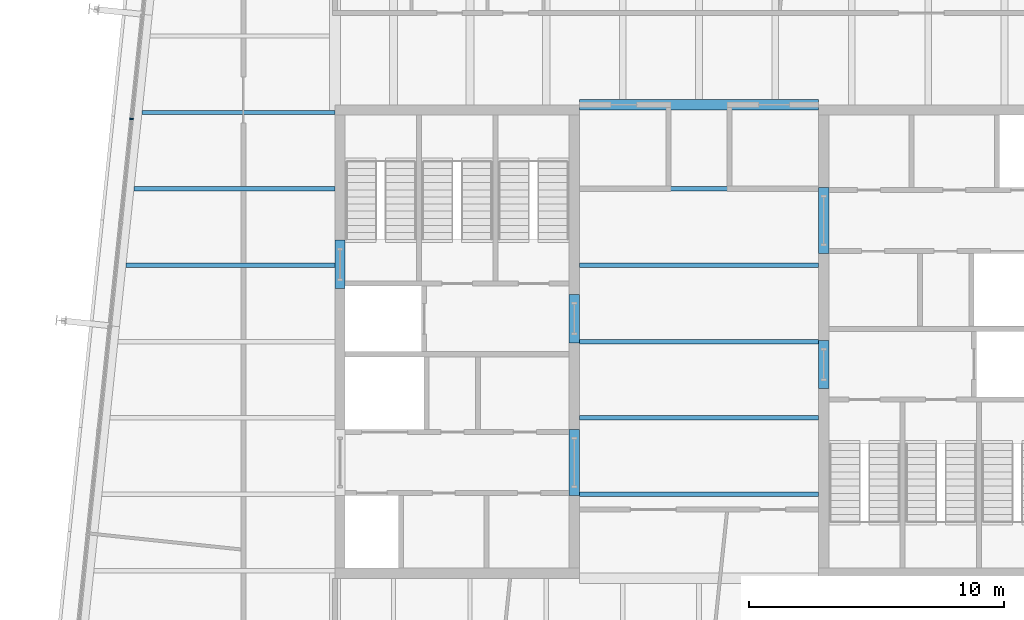
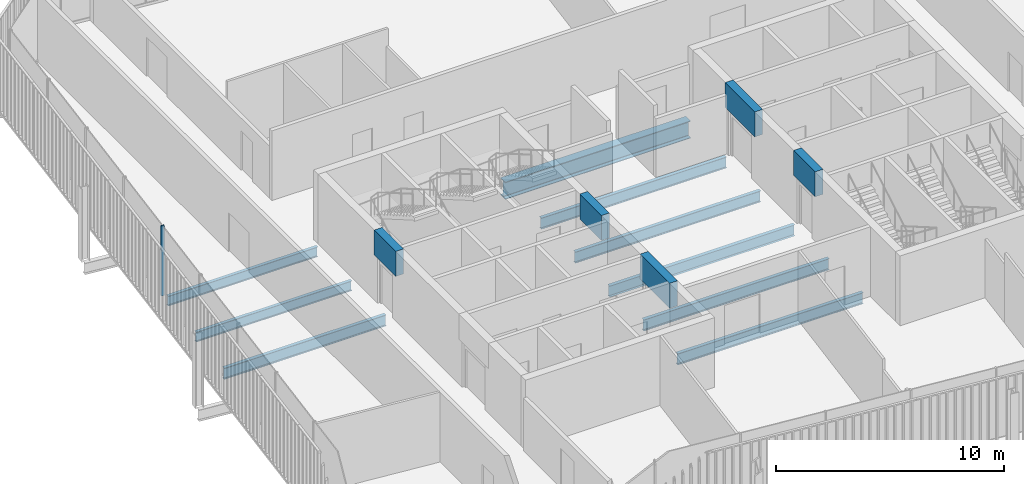
# One storey, part 8 of 20: 14 beams, 1 member, 1 element without a shape of its own.
"""IFC4 building model written with IfcOpenShell, lengths in metres."""

from ifc_helpers import new_model, si_unit, direction, frame, origin, origin_2d, place, context, subcontext, project, spatial, rectangle, i_section, extrude, material, layer, layer_set, material_profile, profile_set, type_object, element, aggregate, save


model = new_model("IFC4")

# Units and contexts
model_context = context("Model", 3, precision=1e-05, world=origin(), true_north=direction((0.0, 1.0)))
body_context = subcontext(model_context, "Body", "Model", "MODEL_VIEW")
ifc_project = project(units=[si_unit("LENGTHUNIT", "METRE"), si_unit("AREAUNIT", "SQUARE_METRE"), si_unit("VOLUMEUNIT", "CUBIC_METRE"), si_unit("PLANEANGLEUNIT", "RADIAN"), si_unit("MASSUNIT", "GRAM", prefix="KILO")], contexts=[model_context])

# Site, building, storey
site_placement = place(None, origin())
site = spatial("IfcSite", under=ifc_project, at=site_placement, CompositionType="ELEMENT")
building_placement = place(site_placement, origin())
building = spatial("IfcBuilding", under=site, at=building_placement, Name="Millrace Tower", CompositionType="ELEMENT")
storey_placement = place(building_placement, frame((0.0, 0.0, 287.699951171875)))
storey = spatial("IfcBuildingStorey", under=building, at=storey_placement, Name="L66", CompositionType="ELEMENT", Elevation=287.699951171875)

# Curtain wall, member
ifc_material_1 = material(Name="Aluminium and glass", Category="aluminium")
ifc_layer = layer(ifc_material_1, 0.14990234375)
ifc_layer_set = layer_set([ifc_layer], Name="Aluminium and glass")
curtain_wall_type = type_object("IfcCurtainWallType", Name="CW-1 office vision curtain wall", PredefinedType="NOTDEFINED", material=ifc_layer_set)
curtain_wall_placement = place(storey_placement, origin())
curtain_wall = element("IfcCurtainWall", 1, at=curtain_wall_placement, inside=storey, type_object=curtain_wall_type, Name="Curtain wall E-F08 L66", PredefinedType="NOTDEFINED")
ifc_material_2 = material(Name="Aluminium", Category="aluminium")
ifc_material_profile_1 = material_profile(ifc_material_2, rectangle(XDim=0.06494140625, YDim=0.14990234375, at=origin_2d()))
ifc_profile_set_1 = profile_set([ifc_material_profile_1], Name="Aluminium")
member_type = type_object("IfcMemberType", Name="CW-1 office vision curtain wall mullion", PredefinedType="MULLION", material=ifc_profile_set_1)
member_placement = place(storey_placement, frame((-22.2890625, 8.742431640625, 0.14013671875), z_axis=(0.0, 0.0, 1.0), x_axis=(-0.104528455196, -0.994521896217, 0.0)))
member = element("IfcMember", 2, at=member_placement, type_object=member_type, Name="CW1 mullion E-F08.5", PredefinedType="MULLION", context=body_context, shape_type="SweptSolid", body=[
    extrude(rectangle(XDim=0.06494140625, YDim=0.14990234375, at=origin_2d()), origin(), (0.0, 0.0, 1.0), 3.760009765625),
])
aggregate(curtain_wall, [member])

# Beams
ifc_material_3 = material(Name="Concrete C60", Category="concrete")
ifc_material_profile_2 = material_profile(ifc_material_3, rectangle(XDim=0.39990234375, YDim=1.340087890625, at=origin_2d()))
ifc_profile_set_2 = profile_set([ifc_material_profile_2], Name="Concrete C60")
beam_type_1 = type_object("IfcBeamType", Name="Coupling beam 400 x 1340 Concrete C60, 1300 opening", PredefinedType="BEAM", material=ifc_profile_set_2)
beam_1_placement = place(storey_placement, frame((-14.10009765625, 2.080078125, 3.070068359375), z_axis=(0.0, 1.0, 0.0), x_axis=(-1.0, 0.0, 0.0)))
element("IfcBeam", 3, at=beam_1_placement, inside=storey, type_object=beam_type_1, Name="Coupling beam W L66", PredefinedType="BEAM", context=body_context, shape_type="SweptSolid", body=[
    extrude(rectangle(XDim=0.39990234375, YDim=1.340087890625, at=origin_2d()), origin(), (0.0, 0.0, 1.0), 1.89990234375),
])
for number, where, z_axis, x_axis, name in (
    (4, (-4.89990234375, -0.050048828125, 3.070068359375), (0.0, 1.0, 0.0), (-1.0, 0.0, 0.0), "Coupling beam W L66"),
    (5, (4.89990234375, 0.050048828125, 3.070068359375), (0.0, -1.0, 0.0), (1.0, 0.0, 0.0), "Coupling beam E L66"),
):
    element("IfcBeam", number, at=place(storey_placement, frame(where, z_axis=z_axis, x_axis=x_axis)), inside=storey, type_object=beam_type_1, Name=name, PredefinedType="BEAM", context=body_context, shape_type="SweptSolid", body=[
        extrude(rectangle(XDim=0.39990234375, YDim=1.340087890625, at=origin_2d()), origin(), (0.0, 0.0, 1.0), 1.900146484375),
    ])
ifc_material_4 = material(Name="Concrete C60", Category="concrete")
ifc_material_profile_3 = material_profile(ifc_material_4, rectangle(XDim=0.39990234375, YDim=1.340087890625, at=origin_2d()))
ifc_profile_set_3 = profile_set([ifc_material_profile_3], Name="Concrete C60")
beam_type_2 = type_object("IfcBeamType", Name="Coupling beam 400 x 1340 Concrete C60, 2000 opening", PredefinedType="BEAM", material=ifc_profile_set_3)
for number, where, z_axis, x_axis, name in (
    (6, (-4.89990234375, -6.050048828125, 3.070068359375), (0.0, 1.0, 0.0), (-1.0, 0.0, 0.0), "Coupling beam W L66"),
    (7, (4.89990234375, 6.050048828125, 3.070068359375), (0.0, -1.0, 0.0), (1.0, 0.0, 0.0), "Coupling beam E L66"),
):
    element("IfcBeam", number, at=place(storey_placement, frame(where, z_axis=z_axis, x_axis=x_axis)), inside=storey, type_object=beam_type_2, Name=name, PredefinedType="BEAM", context=body_context, shape_type="SweptSolid", body=[
        extrude(rectangle(XDim=0.39990234375, YDim=1.340087890625, at=origin_2d()), origin(), (0.0, 0.0, 1.0), 2.60009765625),
    ])
ifc_material_5 = material(Name="Steel ASTM A992 Grade 50", Category="steel")
ifc_material_profile_4 = material_profile(ifc_material_5, i_section(OverallWidth=0.1650390625, OverallDepth=0.52587890625, WebThickness=0.0087890625, FlangeThickness=0.011474609375, FilletRadius=0.0126953125, at=origin_2d()))
ifc_profile_set_4 = profile_set([ifc_material_profile_4], Name="Steel ASTM A992 Grade 50")
beam_type_3 = type_object("IfcBeamType", Name="Floor beam W21x44", PredefinedType="JOIST", material=ifc_profile_set_4)
beam_2_placement = place(storey_placement, frame((-22.19287109375, 6.0, -0.4228515625), z_axis=(1.0, 0.0, 0.0), x_axis=(0.0, 1.0, 0.0)))
element("IfcBeam", 8, at=beam_2_placement, inside=storey, type_object=beam_type_3, Name="BM-E-L66-S1-S021", PredefinedType="JOIST", context=body_context, shape_type="SweptSolid", body=[
    extrude(i_section(OverallWidth=0.1650390625, OverallDepth=0.52587890625, WebThickness=0.0087890625, FlangeThickness=0.011474609375, FilletRadius=0.0126953125, at=origin_2d()), origin(), (0.0, 0.0, 1.0), 7.892822265625),
])
beam_3_placement = place(storey_placement, frame((-21.87744140625, 9.0, -0.4228515625), z_axis=(1.0, 0.0, 0.0), x_axis=(0.0, 1.0, 0.0)))
element("IfcBeam", 9, at=beam_3_placement, inside=storey, type_object=beam_type_3, Name="BM-E-L66-S1-S023", PredefinedType="JOIST", context=body_context, shape_type="SweptSolid", body=[
    extrude(i_section(OverallWidth=0.1650390625, OverallDepth=0.52587890625, WebThickness=0.0087890625, FlangeThickness=0.011474609375, FilletRadius=0.0126953125, at=origin_2d()), origin(), (0.0, 0.0, 1.0), 7.577392578125),
])
ifc_material_6 = material(Name="Steel ASTM A992 Grade 50", Category="steel")
ifc_material_profile_5 = material_profile(ifc_material_6, i_section(OverallWidth=0.177978515625, OverallDepth=0.599365234375, WebThickness=0.010009765625, FlangeThickness=0.012939453125, FilletRadius=0.012939453125, at=origin_2d()))
ifc_profile_set_5 = profile_set([ifc_material_profile_5], Name="Steel ASTM A992 Grade 50")
beam_type_4 = type_object("IfcBeamType", Name="Floor beam W24x55", PredefinedType="JOIST", material=ifc_profile_set_5)
for number, where, z_axis, x_axis, name in (
    (10, (-4.699951171875, -6.0, -0.459716796875), (1.0, 0.0, 0.0), (0.0, 1.0, 0.0), "BM-E-L66-S1-S008"),
    (11, (-4.699951171875, -3.0, -0.459716796875), (1.0, 0.0, 0.0), (0.0, 1.0, 0.0), "BM-E-L66-S1-S011"),
    (12, (-4.699951171875, 0.0, -0.459716796875), (1.0, 0.0, 0.0), (0.0, 1.0, 0.0), "BM-E-L66-S1-S014"),
    (13, (-4.699951171875, 3.0, -0.459716796875), (1.0, 0.0, 0.0), (0.0, 1.0, 0.0), "BM-E-L66-S1-S017"),
):
    element("IfcBeam", number, at=place(storey_placement, frame(where, z_axis=z_axis, x_axis=x_axis)), inside=storey, type_object=beam_type_4, Name=name, PredefinedType="JOIST", context=body_context, shape_type="SweptSolid", body=[
        extrude(i_section(OverallWidth=0.177978515625, OverallDepth=0.599365234375, WebThickness=0.010009765625, FlangeThickness=0.012939453125, FilletRadius=0.012939453125, at=origin_2d()), origin(), (0.0, 0.0, 1.0), 9.39990234375),
    ])
beam_4_placement = place(storey_placement, frame((-22.508056640625, 3.0, -0.459716796875), z_axis=(1.0, 0.0, 0.0), x_axis=(0.0, 1.0, 0.0)))
element("IfcBeam", 14, at=beam_4_placement, inside=storey, type_object=beam_type_4, Name="BM-E-L66-S1-S018", PredefinedType="JOIST", context=body_context, shape_type="SweptSolid", body=[
    extrude(i_section(OverallWidth=0.177978515625, OverallDepth=0.599365234375, WebThickness=0.010009765625, FlangeThickness=0.012939453125, FilletRadius=0.012939453125, at=origin_2d()), origin(), (0.0, 0.0, 1.0), 8.2080078125),
])
beam_5_placement = place(storey_placement, frame((-4.699951171875, 6.0, -0.459716796875), z_axis=(1.0, 0.0, 0.0), x_axis=(0.0, 1.0, 0.0)))
element("IfcBeam", 15, at=beam_5_placement, inside=storey, type_object=beam_type_4, Name="BM-E-L66-S1-S020", PredefinedType="JOIST", context=body_context, shape_type="SweptSolid", body=[
    extrude(i_section(OverallWidth=0.177978515625, OverallDepth=0.599365234375, WebThickness=0.010009765625, FlangeThickness=0.012939453125, FilletRadius=0.012939453125, at=origin_2d()), origin(), (0.0, 0.0, 1.0), 9.39990234375),
])
ifc_material_7 = material(Name="Steel ASTM A992 Grade 50", Category="steel")
ifc_material_profile_6 = material_profile(ifc_material_7, i_section(OverallWidth=0.419189453125, OverallDepth=0.927001953125, WebThickness=0.019287109375, FlangeThickness=0.031982421875, FilletRadius=0.024169921875, at=origin_2d()))
ifc_profile_set_6 = profile_set([ifc_material_profile_6], Name="Steel ASTM A992 Grade 50")
beam_type_5 = type_object("IfcBeamType", Name="Girder short span W36x231", PredefinedType="BEAM", material=ifc_profile_set_6)
beam_6_placement = place(storey_placement, frame((-4.699951171875, 9.300048828125, -0.62353515625), z_axis=(1.0, 0.0, 0.0), x_axis=(0.0, 1.0, 0.0)))
element("IfcBeam", 16, at=beam_6_placement, inside=storey, type_object=beam_type_5, Name="BM-E-L66-S1-G058", PredefinedType="BEAM", context=body_context, shape_type="SweptSolid", body=[
    extrude(i_section(OverallWidth=0.419189453125, OverallDepth=0.927001953125, WebThickness=0.019287109375, FlangeThickness=0.031982421875, FilletRadius=0.024169921875, at=origin_2d()), origin(), (0.0, 0.0, 1.0), 9.39990234375),
])

save(model, "model.ifc")
